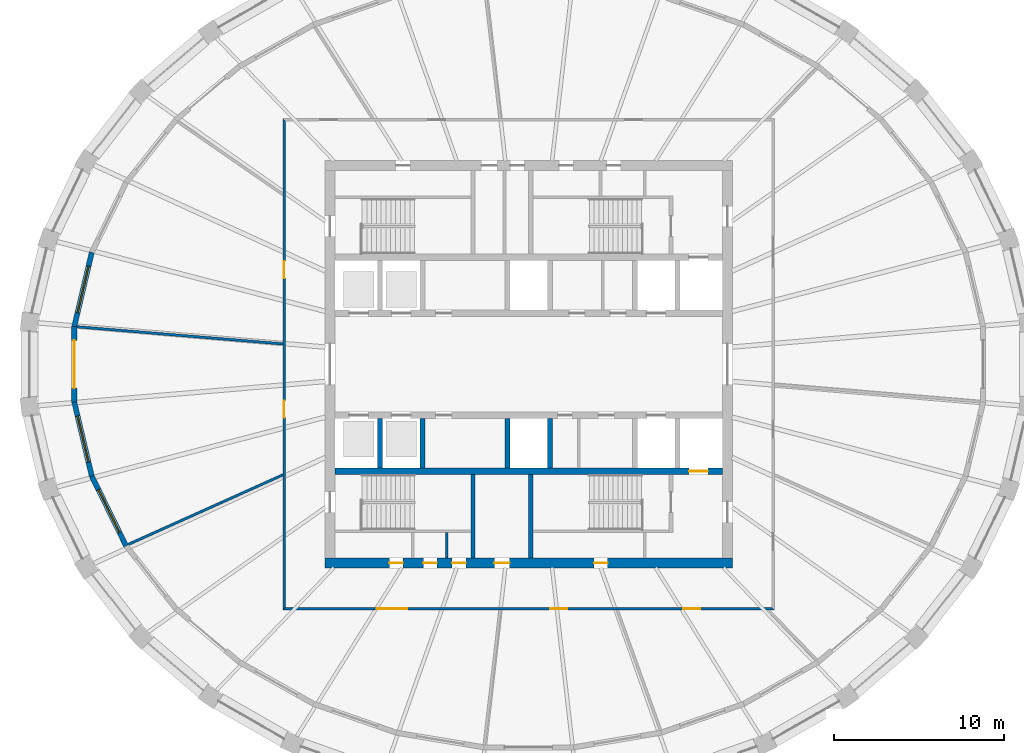
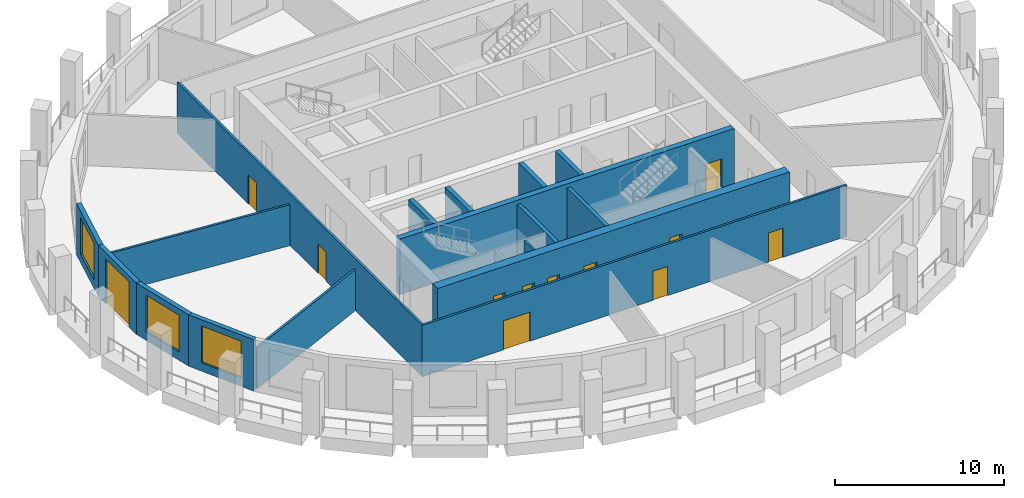
# One storey, part 3 of 10: 17 walls, 12 doors, 3 windows, 15 openings.
"""IFC4 building model written with IfcOpenShell, lengths in metres."""

from ifc_helpers import new_model, si_unit, direction, frame, frame_2d, origin, place, context, subcontext, project, spatial, polyline, rectangle, outline, extrude, material, layer, layer_set, type_object, element, fill, save


model = new_model("IFC4")

# Units and contexts
model_context = context("Model", 3, precision=1e-05, world=origin(), true_north=direction((0.0, 1.0)))
body_context = subcontext(model_context, "Body", "Model", "MODEL_VIEW")
ifc_project = project(units=[si_unit("LENGTHUNIT", "METRE"), si_unit("AREAUNIT", "SQUARE_METRE"), si_unit("VOLUMEUNIT", "CUBIC_METRE"), si_unit("PLANEANGLEUNIT", "RADIAN"), si_unit("MASSUNIT", "GRAM", prefix="KILO")], contexts=[model_context])

# Site, building, storey
site_placement = place(None, origin())
site = spatial("IfcSite", under=ifc_project, at=site_placement, CompositionType="ELEMENT")
building_placement = place(site_placement, origin())
building = spatial("IfcBuilding", under=site, at=building_placement, Name="Halqa Exchange Tower", CompositionType="ELEMENT")
storey_placement = place(building_placement, frame((0.0, 0.0, 280.300048828125)))
storey = spatial("IfcBuildingStorey", under=building, at=storey_placement, Name="L65", CompositionType="ELEMENT", Elevation=280.300048828125)

# Wall, openings, doors
ifc_material_1 = material(Name="Fire-rated gypsum board")
ifc_layer_1 = layer(ifc_material_1, 0.14990234375)
ifc_layer_set_1 = layer_set([ifc_layer_1], Name="Fire-rated gypsum board")
wall_type_1 = type_object("IfcWallType", Name="Fire partition EI 60 150", PredefinedType="PARTITIONING", material=ifc_layer_set_1)
wall_1_placement = place(storey_placement, frame((-14.39990234375, -14.47509765625, 0.0), z_axis=(0.0, 0.0, 1.0), x_axis=(0.0, 1.0, 0.0)))
wall_1 = element("IfcWall", 1, at=wall_1_placement, inside=storey, type_object=wall_type_1, Name="L65-PWL-001", PredefinedType="PARTITIONING", context=body_context, shape_type="SweptSolid", body=[
    extrude(outline(polyline([(0.150146484375, -0.074951171875), (2.06005859375, -0.074951171875), (3.97021484375, -0.074951171875), (5.880126953125, -0.074951171875), (7.7900390625, -0.074951171875), (9.7001953125, -0.074951171875), (11.610107421875, -0.074951171875), (13.52001953125, -0.074951171875), (15.43017578125, -0.074951171875), (17.340087890625, -0.074951171875), (19.25, -0.074951171875), (21.16015625, -0.074951171875), (23.070068359375, -0.074951171875), (24.97998046875, -0.074951171875), (26.89013671875, -0.074951171875), (28.800048828125, -0.074951171875), (28.949951171875, 0.074951171875), (27.02001953125, 0.074951171875), (25.090087890625, 0.074951171875), (23.159912109375, 0.074951171875), (21.22998046875, 0.074951171875), (19.300048828125, 0.074951171875), (17.3701171875, 0.074951171875), (15.440185546875, 0.074951171875), (13.510009765625, 0.074951171875), (11.580078125, 0.074951171875), (9.650146484375, 0.074951171875), (7.72021484375, 0.074951171875), (5.790283203125, 0.074951171875), (3.860107421875, 0.074951171875), (1.93017578125, 0.074951171875), (0.000244140625, 0.074951171875), (0.150146484375, -0.074951171875)])), origin(), (0.0, 0.0, 1.0), 3.699951171875),
])
opening_1_placement = place(wall_1_placement, frame((19.544921875, 0.0, 0.0)))
opening_1 = element("IfcOpeningElement", 2, at=opening_1_placement, cuts=wall_1, Name="Opening 20-07", PredefinedType="OPENING", context=body_context, shape_type="SweptSolid", body=[
    extrude(rectangle(XDim=1.0, YDim=2.10009765625, at=frame_2d((0.5, 1.050048828125))), frame((0.0, 0.0869140625, 0.0), z_axis=(0.0, -1.0, 0.0), x_axis=(1.0, 0.0, 0.0)), (0.0, 0.0, 1.0), 0.173828125),
])
opening_2_placement = place(wall_1_placement, frame((11.330078125, 0.0, 0.0)))
opening_2 = element("IfcOpeningElement", 3, at=opening_2_placement, cuts=wall_1, Name="Opening 20-08", PredefinedType="OPENING", context=body_context, shape_type="SweptSolid", body=[
    extrude(rectangle(XDim=1.0, YDim=2.10009765625, at=frame_2d((0.5, 1.050048828125))), frame((0.0, 0.0869140625, 0.0), z_axis=(0.0, -1.0, 0.0), x_axis=(1.0, 0.0, 0.0)), (0.0, 0.0, 1.0), 0.173828125),
])
ifc_material_2 = material(Name="Steel fire door leaf", Category="steel")
door_type_1 = type_object("IfcDoorType", Name="Fire door FD30S 1000 x 2100", OperationType="SINGLE_SWING_LEFT", PredefinedType="DOOR", material=ifc_material_2)
door_1_placement = place(opening_1_placement, origin())
door_1 = element("IfcDoor", 4, at=door_1_placement, inside=storey, type_object=door_type_1, Name="L65-IDR-007", OperationType="SINGLE_SWING_LEFT", OverallHeight=2.10009765625, OverallWidth=1.0, PredefinedType="DOOR", context=body_context, shape_type="SweptSolid", body=[
    extrude(rectangle(XDim=1.0, YDim=2.10009765625, at=frame_2d((0.5, 1.050048828125))), frame((0.0, 0.02490234375, 0.0), z_axis=(0.0, -1.0, 0.0), x_axis=(1.0, 0.0, 0.0)), (0.0, 0.0, 1.0), 0.050048828125),
])
fill(opening_1, door_1)
door_2_placement = place(opening_2_placement, origin())
door_2 = element("IfcDoor", 5, at=door_2_placement, inside=storey, type_object=door_type_1, Name="L65-IDR-008", OperationType="SINGLE_SWING_RIGHT", OverallHeight=2.10009765625, OverallWidth=1.0, PredefinedType="DOOR", context=body_context, shape_type="SweptSolid", body=[
    extrude(rectangle(XDim=1.0, YDim=2.10009765625, at=frame_2d((0.5, 1.050048828125))), frame((0.0, 0.02490234375, 0.0), z_axis=(0.0, -1.0, 0.0), x_axis=(1.0, 0.0, 0.0)), (0.0, 0.0, 1.0), 0.050048828125),
])
fill(opening_2, door_2)

wall_2_placement = place(storey_placement, frame((-14.47509765625, -14.39990234375, 0.0), z_axis=(0.0, 0.0, 1.0), x_axis=(1.0, 0.0, 0.0)))
wall_2 = element("IfcWall", 6, at=wall_2_placement, inside=storey, type_object=wall_type_1, Name="L65-PWL-002", PredefinedType="PARTITIONING", context=body_context, shape_type="SweptSolid", body=[
    extrude(outline(polyline([(0.000244140625, -0.074951171875), (1.93017578125, -0.074951171875), (3.860107421875, -0.074951171875), (5.790283203125, -0.074951171875), (7.72021484375, -0.074951171875), (9.650146484375, -0.074951171875), (11.580078125, -0.074951171875), (13.510009765625, -0.074951171875), (15.440185546875, -0.074951171875), (17.3701171875, -0.074951171875), (19.300048828125, -0.074951171875), (21.22998046875, -0.074951171875), (23.159912109375, -0.074951171875), (25.090087890625, -0.074951171875), (27.02001953125, -0.074951171875), (28.949951171875, -0.074951171875), (28.800048828125, 0.074951171875), (26.89013671875, 0.074951171875), (24.97998046875, 0.074951171875), (23.070068359375, 0.074951171875), (21.16015625, 0.074951171875), (19.25, 0.074951171875), (17.340087890625, 0.074951171875), (15.43017578125, 0.074951171875), (13.52001953125, 0.074951171875), (11.610107421875, 0.074951171875), (9.7001953125, 0.074951171875), (7.7900390625, 0.074951171875), (5.880126953125, 0.074951171875), (3.97021484375, 0.074951171875), (2.06005859375, 0.074951171875), (0.150146484375, 0.074951171875), (0.000244140625, -0.074951171875)])), origin(), (0.0, 0.0, 1.0), 3.699951171875),
])
opening_3_placement = place(wall_2_placement, frame((5.534912109375, 0.0, 0.0)))
opening_3 = element("IfcOpeningElement", 7, at=opening_3_placement, cuts=wall_2, Name="Opening 20-09", PredefinedType="OPENING", context=body_context, shape_type="SweptSolid", body=[
    extrude(rectangle(XDim=1.800048828125, YDim=2.10009765625, at=frame_2d((0.89990234375, 1.050048828125))), frame((0.0, 0.0869140625, 0.0), z_axis=(0.0, -1.0, 0.0), x_axis=(1.0, 0.0, 0.0)), (0.0, 0.0, 1.0), 0.173828125),
])
opening_4_placement = place(wall_2_placement, frame((15.72998046875, 0.0, 0.0)))
opening_4 = element("IfcOpeningElement", 8, at=opening_4_placement, cuts=wall_2, Name="Opening 20-10", PredefinedType="OPENING", context=body_context, shape_type="SweptSolid", body=[
    extrude(rectangle(XDim=1.0, YDim=2.10009765625, at=frame_2d((0.5, 1.050048828125))), frame((0.0, 0.0869140625, 0.0), z_axis=(0.0, -1.0, 0.0), x_axis=(1.0, 0.0, 0.0)), (0.0, 0.0, 1.0), 0.173828125),
])
opening_5_placement = place(wall_2_placement, frame((23.5849609375, 0.0, 0.0)))
opening_5 = element("IfcOpeningElement", 9, at=opening_5_placement, cuts=wall_2, Name="Opening 20-11", PredefinedType="OPENING", context=body_context, shape_type="SweptSolid", body=[
    extrude(rectangle(XDim=1.0, YDim=2.10009765625, at=frame_2d((0.5, 1.050048828125))), frame((0.0, 0.0869140625, 0.0), z_axis=(0.0, -1.0, 0.0), x_axis=(1.0, 0.0, 0.0)), (0.0, 0.0, 1.0), 0.173828125),
])
door_3_placement = place(opening_4_placement, frame((1.0, 0.0, 0.0), z_axis=(0.0, 0.0, 1.0), x_axis=(-1.0, 0.0, 0.0)))
door_3 = element("IfcDoor", 10, at=door_3_placement, inside=storey, type_object=door_type_1, Name="L65-IDR-010", OperationType="SINGLE_SWING_RIGHT", OverallHeight=2.10009765625, OverallWidth=1.0, PredefinedType="DOOR", context=body_context, shape_type="SweptSolid", body=[
    extrude(rectangle(XDim=1.0, YDim=2.10009765625, at=frame_2d((0.5, 1.050048828125))), frame((0.0, 0.02490234375, 0.0), z_axis=(0.0, -1.0, 0.0), x_axis=(1.0, 0.0, 0.0)), (0.0, 0.0, 1.0), 0.050048828125),
])
fill(opening_4, door_3)
door_4_placement = place(opening_5_placement, frame((1.0, 0.0, 0.0), z_axis=(0.0, 0.0, 1.0), x_axis=(-1.0, 0.0, 0.0)))
door_4 = element("IfcDoor", 11, at=door_4_placement, inside=storey, type_object=door_type_1, Name="L65-IDR-011", OperationType="SINGLE_SWING_RIGHT", OverallHeight=2.10009765625, OverallWidth=1.0, PredefinedType="DOOR", context=body_context, shape_type="SweptSolid", body=[
    extrude(rectangle(XDim=1.0, YDim=2.10009765625, at=frame_2d((0.5, 1.050048828125))), frame((0.0, 0.02490234375, 0.0), z_axis=(0.0, -1.0, 0.0), x_axis=(1.0, 0.0, 0.0)), (0.0, 0.0, 1.0), 0.050048828125),
])
fill(opening_5, door_4)
door_type_2 = type_object("IfcDoorType", Name="Fire door FD30S double 1800 x 2100", OperationType="DOUBLE_DOOR_SINGLE_SWING", PredefinedType="DOOR", material=ifc_material_2)
door_5_placement = place(opening_3_placement, frame((1.800048828125, 0.0, 0.0), z_axis=(0.0, 0.0, 1.0), x_axis=(-1.0, 0.0, 0.0)))
door_5 = element("IfcDoor", 12, at=door_5_placement, inside=storey, type_object=door_type_2, Name="L65-IDR-009", OperationType="DOUBLE_DOOR_SINGLE_SWING", OverallHeight=2.10009765625, OverallWidth=1.800048828125, PredefinedType="DOOR", context=body_context, shape_type="SweptSolid", body=[
    extrude(rectangle(XDim=1.800048828125, YDim=2.10009765625, at=frame_2d((0.89990234375, 1.050048828125))), frame((0.0, 0.02490234375, 0.0), z_axis=(0.0, -1.0, 0.0), x_axis=(1.0, 0.0, 0.0)), (0.0, 0.0, 1.0), 0.050048828125),
])
fill(opening_3, door_5)

# Walls
wall_3_placement = place(storey_placement, frame((-14.444580078125, -6.5, 0.0), z_axis=(0.0, 0.0, 1.0), x_axis=(-0.912008635086, -0.410171000351, 0.0)))
element("IfcWall", 13, at=wall_3_placement, inside=storey, type_object=wall_type_1, Name="L65-PWL-003", PredefinedType="PARTITIONING", context=body_context, shape_type="SweptSolid", body=[
    extrude(outline(polyline([(10.011474609375, -0.074951171875), (10.011474609375, -0.07080078125), (10.0087890625, 0.00537109375), (9.9912109375, 0.074951171875), (8.00634765625, 0.074951171875), (6.021484375, 0.074951171875), (4.03662109375, 0.074951171875), (2.052001953125, 0.074951171875), (0.067138671875, 0.074951171875), (0.0, -0.07421875), (0.0, -0.074951171875), (1.66845703125, -0.074951171875), (3.337158203125, -0.074951171875), (5.005859375, -0.074951171875), (6.67431640625, -0.074951171875), (8.3427734375, -0.074951171875), (10.011474609375, -0.074951171875)])), origin(), (0.0, 0.0, 1.0), 2.947021484375),
])
wall_4_placement = place(storey_placement, frame((-14.46923828125, 1.19580078125, 0.0), z_axis=(0.0, 0.0, 1.0), x_axis=(-0.996556684965, 0.08291425481, 0.0)))
element("IfcWall", 14, at=wall_4_placement, inside=storey, type_object=wall_type_1, Name="L65-PWL-004", PredefinedType="PARTITIONING", context=body_context, shape_type="SweptSolid", body=[
    extrude(outline(polyline([(0.011962890625, -0.074951171875), (1.747314453125, -0.074951171875), (3.482666015625, -0.074951171875), (5.218017578125, -0.074951171875), (6.953369140625, -0.074951171875), (8.688720703125, -0.074951171875), (10.424072265625, -0.074951171875), (12.159423828125, -0.074951171875), (12.163818359375, -0.045166015625), (12.163818359375, 0.074951171875), (10.426025390625, 0.074951171875), (8.6884765625, 0.074951171875), (6.95068359375, 0.074951171875), (5.213134765625, 0.074951171875), (3.475341796875, 0.074951171875), (1.73779296875, 0.074951171875), (0.0, 0.074951171875), (0.0, 0.069580078125), (0.011962890625, -0.074951171875)])), origin(), (0.0, 0.0, 1.0), 2.947021484375),
])
ifc_material_3 = material(Name="Gypsum board")
ifc_layer_2 = layer(ifc_material_3, 0.14990234375)
ifc_layer_set_2 = layer_set([ifc_layer_2], Name="Gypsum board")
wall_type_2 = type_object("IfcWallType", Name="Penthouse riser wall 150 gypsum", PredefinedType="PARTITIONING", material=ifc_layer_set_2)
wall_5_placement = place(storey_placement, frame((-4.824951171875, -11.39990234375, 0.0), z_axis=(0.0, 0.0, 1.0), x_axis=(0.0, 1.0, 0.0)))
element("IfcWall", 15, at=wall_5_placement, inside=storey, type_object=wall_type_2, Name="Partition W4.825 S", PredefinedType="PARTITIONING", context=body_context, shape_type="SweptSolid", body=[
    extrude(rectangle(XDim=1.5, YDim=0.14990234375, at=frame_2d((0.75, 0.0))), origin(), (0.0, 0.0, 1.0), 3.699951171875),
])
ifc_material_4 = material(Name="Concrete C60/75", Category="concrete")
ifc_layer_3 = layer(ifc_material_4, 0.300048828125)
ifc_layer_set_3 = layer_set([ifc_layer_3], Name="Concrete C60/75")
wall_type_3 = type_object("IfcWallType", Name="RC core wall 300", PredefinedType="SHEAR", material=ifc_layer_set_3)
for number, where, z_axis, x_axis, name in (
    (16, (-8.75, -6.10009765625, 0.0), (0.0, 0.0, 1.0), (0.0, 1.0, 0.0), "Shaft divider S1"),
    (17, (-6.25, -6.10009765625, 0.0), (0.0, 0.0, 1.0), (0.0, 1.0, 0.0), "Shaft divider S2"),
    (18, (-1.25, -6.10009765625, 0.0), (0.0, 0.0, 1.0), (0.0, 1.0, 0.0), "Shaft divider S4"),
    (19, (1.25, -6.10009765625, 0.0), (0.0, 0.0, 1.0), (0.0, 1.0, 0.0), "Shaft divider S5"),
):
    element("IfcWall", number, at=place(storey_placement, frame(where, z_axis=z_axis, x_axis=x_axis)), inside=storey, type_object=wall_type_3, Name=name, PredefinedType="SHEAR", context=body_context, shape_type="SweptSolid", body=[
        extrude(rectangle(XDim=2.900146484375, YDim=0.300048828125, at=frame_2d((1.4501953125, 0.0))), origin(), (0.0, 0.0, 1.0), 4.0),
    ])

# Wall, opening, door
ifc_layer_4 = layer(ifc_material_4, 0.39990234375)
ifc_layer_set_4 = layer_set([ifc_layer_4], Name="Concrete C60/75")
wall_type_4 = type_object("IfcWallType", Name="RC core wall 400 C60/75", PredefinedType="SHEAR", material=ifc_layer_set_4)
wall_6_placement = place(storey_placement, frame((-11.39990234375, -6.300048828125, 0.0), z_axis=(0.0, 0.0, 1.0), x_axis=(1.0, 0.0, 0.0)))
wall_6 = element("IfcWall", 20, at=wall_6_placement, inside=storey, type_object=wall_type_4, Name="Lift row back wall S", PredefinedType="SHEAR", context=body_context, shape_type="SweptSolid", body=[
    extrude(rectangle(XDim=22.7998046875, YDim=0.39990234375, at=frame_2d((11.39990234375, 0.0))), origin(), (0.0, 0.0, 1.0), 4.0),
])
opening_6_placement = place(wall_6_placement, frame((20.85009765625, 0.0, 0.0)))
opening_6 = element("IfcOpeningElement", 21, at=opening_6_placement, cuts=wall_6, Name="Opening LD-FF2-T20", PredefinedType="OPENING", context=body_context, shape_type="SweptSolid", body=[
    extrude(rectangle(XDim=1.10009765625, YDim=2.10009765625, at=frame_2d((0.550048828125, 1.050048828125))), frame((0.0, 0.2119140625, 0.0), z_axis=(0.0, -1.0, 0.0), x_axis=(1.0, 0.0, 0.0)), (0.0, 0.0, 1.0), 0.423828125),
])
ifc_material_5 = material(Name="Stainless steel", Category="steel")
door_type_3 = type_object("IfcDoorType", Name="Lift landing door 1100 x 2100", OperationType="SLIDING_TO_LEFT", PredefinedType="DOOR", material=ifc_material_5)
door_6_placement = place(opening_6_placement, origin())
door_6 = element("IfcDoor", 22, at=door_6_placement, inside=storey, type_object=door_type_3, Name="Lift landing door FF2", OperationType="SLIDING_TO_LEFT", OverallHeight=2.10009765625, OverallWidth=1.10009765625, PredefinedType="DOOR", context=body_context, shape_type="SweptSolid", body=[
    extrude(rectangle(XDim=1.10009765625, YDim=2.10009765625, at=frame_2d((0.550048828125, 1.050048828125))), frame((0.0, 0.02490234375, 0.0), z_axis=(0.0, -1.0, 0.0), x_axis=(1.0, 0.0, 0.0)), (0.0, 0.0, 1.0), 0.050048828125),
])
fill(opening_6, door_6)

# Wall, openings, doors
ifc_layer_5 = layer(ifc_material_4, 0.60009765625)
ifc_layer_set_5 = layer_set([ifc_layer_5], Name="Concrete C60/75")
wall_type_5 = type_object("IfcWallType", Name="RC core wall 600 C60/75", PredefinedType="SHEAR", material=ifc_layer_set_5)
wall_7_placement = place(storey_placement, frame((-12.0, -11.699951171875, 0.0), z_axis=(0.0, 0.0, 1.0), x_axis=(1.0, 0.0, 0.0)))
wall_7 = element("IfcWall", 23, at=wall_7_placement, inside=storey, type_object=wall_type_5, Name="Core wall south", PredefinedType="SHEAR", context=body_context, shape_type="SweptSolid", body=[
    extrude(rectangle(XDim=24.0, YDim=0.60009765625, at=frame_2d((12.0, 0.0))), origin(), (0.0, 0.0, 1.0), 4.0),
])
opening_7_placement = place(wall_7_placement, frame((9.97509765625, 0.0, 0.0)))
opening_7 = element("IfcOpeningElement", 24, at=opening_7_placement, cuts=wall_7, Name="Opening T20-C22", PredefinedType="OPENING", context=body_context, shape_type="SweptSolid", body=[
    extrude(rectangle(XDim=0.89990234375, YDim=2.10009765625, at=frame_2d((0.449951171875, 1.050048828125))), frame((0.0, 0.31201171875, 0.0), z_axis=(0.0, -1.0, 0.0), x_axis=(1.0, 0.0, 0.0)), (0.0, 0.0, 1.0), 0.6240234375),
])
opening_8_placement = place(wall_7_placement, frame((3.800048828125, 0.0, 0.0)))
opening_8 = element("IfcOpeningElement", 25, at=opening_8_placement, cuts=wall_7, Name="Opening T20-C23", PredefinedType="OPENING", context=body_context, shape_type="SweptSolid", body=[
    extrude(rectangle(XDim=0.800048828125, YDim=2.10009765625, at=frame_2d((0.39990234375, 1.050048828125))), frame((0.0, 0.31201171875, 0.0), z_axis=(0.0, -1.0, 0.0), x_axis=(1.0, 0.0, 0.0)), (0.0, 0.0, 1.0), 0.6240234375),
])
opening_9_placement = place(wall_7_placement, frame((5.800048828125, 0.0, 0.0)))
opening_9 = element("IfcOpeningElement", 26, at=opening_9_placement, cuts=wall_7, Name="Opening T20-C24", PredefinedType="OPENING", context=body_context, shape_type="SweptSolid", body=[
    extrude(rectangle(XDim=0.800048828125, YDim=2.10009765625, at=frame_2d((0.39990234375, 1.050048828125))), frame((0.0, 0.31201171875, 0.0), z_axis=(0.0, -1.0, 0.0), x_axis=(1.0, 0.0, 0.0)), (0.0, 0.0, 1.0), 0.6240234375),
])
opening_10_placement = place(wall_7_placement, frame((7.5, 0.0, 0.0)))
opening_10 = element("IfcOpeningElement", 27, at=opening_10_placement, cuts=wall_7, Name="Opening T20-C25", PredefinedType="OPENING", context=body_context, shape_type="SweptSolid", body=[
    extrude(rectangle(XDim=0.800048828125, YDim=2.10009765625, at=frame_2d((0.39990234375, 1.050048828125))), frame((0.0, 0.31201171875, 0.0), z_axis=(0.0, -1.0, 0.0), x_axis=(1.0, 0.0, 0.0)), (0.0, 0.0, 1.0), 0.6240234375),
])
opening_11_placement = place(wall_7_placement, frame((15.85009765625, 0.0, 0.0)))
opening_11 = element("IfcOpeningElement", 28, at=opening_11_placement, cuts=wall_7, Name="Opening T20-C26", PredefinedType="OPENING", context=body_context, shape_type="SweptSolid", body=[
    extrude(rectangle(XDim=0.800048828125, YDim=2.10009765625, at=frame_2d((0.39990234375, 1.050048828125))), frame((0.0, 0.31201171875, 0.0), z_axis=(0.0, -1.0, 0.0), x_axis=(1.0, 0.0, 0.0)), (0.0, 0.0, 1.0), 0.6240234375),
])
ifc_material_6 = material(Name="Timber fire door leaf", Category="wood")
door_type_4 = type_object("IfcDoorType", Name="Core room door FD30 900 x 2100", OperationType="SINGLE_SWING_LEFT", PredefinedType="DOOR", material=ifc_material_6)
door_7_placement = place(opening_7_placement, origin())
door_7 = element("IfcDoor", 29, at=door_7_placement, inside=storey, type_object=door_type_4, Name="Core room door", OperationType="SINGLE_SWING_LEFT", OverallHeight=2.10009765625, OverallWidth=0.89990234375, PredefinedType="DOOR", context=body_context, shape_type="SweptSolid", body=[
    extrude(rectangle(XDim=0.89990234375, YDim=2.10009765625, at=frame_2d((0.449951171875, 1.050048828125))), frame((0.0, 0.02490234375, 0.0), z_axis=(0.0, -1.0, 0.0), x_axis=(1.0, 0.0, 0.0)), (0.0, 0.0, 1.0), 0.050048828125),
])
fill(opening_7, door_7)
door_type_5 = type_object("IfcDoorType", Name="Riser door FD60 800 x 2100", OperationType="SINGLE_SWING_LEFT", PredefinedType="DOOR", material=ifc_material_2)
door_8_placement = place(opening_8_placement, origin())
door_8 = element("IfcDoor", 30, at=door_8_placement, inside=storey, type_object=door_type_5, Name="Core room door", OperationType="SINGLE_SWING_LEFT", OverallHeight=2.10009765625, OverallWidth=0.800048828125, PredefinedType="DOOR", context=body_context, shape_type="SweptSolid", body=[
    extrude(rectangle(XDim=0.800048828125, YDim=2.10009765625, at=frame_2d((0.39990234375, 1.050048828125))), frame((0.0, 0.02490234375, 0.0), z_axis=(0.0, -1.0, 0.0), x_axis=(1.0, 0.0, 0.0)), (0.0, 0.0, 1.0), 0.050048828125),
])
fill(opening_8, door_8)
door_9_placement = place(opening_9_placement, origin())
door_9 = element("IfcDoor", 31, at=door_9_placement, inside=storey, type_object=door_type_5, Name="Core room door", OperationType="SINGLE_SWING_RIGHT", OverallHeight=2.10009765625, OverallWidth=0.800048828125, PredefinedType="DOOR", context=body_context, shape_type="SweptSolid", body=[
    extrude(rectangle(XDim=0.800048828125, YDim=2.10009765625, at=frame_2d((0.39990234375, 1.050048828125))), frame((0.0, 0.02490234375, 0.0), z_axis=(0.0, -1.0, 0.0), x_axis=(1.0, 0.0, 0.0)), (0.0, 0.0, 1.0), 0.050048828125),
])
fill(opening_9, door_9)
door_10_placement = place(opening_10_placement, origin())
door_10 = element("IfcDoor", 32, at=door_10_placement, inside=storey, type_object=door_type_5, Name="Core room door", OperationType="SINGLE_SWING_RIGHT", OverallHeight=2.10009765625, OverallWidth=0.800048828125, PredefinedType="DOOR", context=body_context, shape_type="SweptSolid", body=[
    extrude(rectangle(XDim=0.800048828125, YDim=2.10009765625, at=frame_2d((0.39990234375, 1.050048828125))), frame((0.0, 0.02490234375, 0.0), z_axis=(0.0, -1.0, 0.0), x_axis=(1.0, 0.0, 0.0)), (0.0, 0.0, 1.0), 0.050048828125),
])
fill(opening_10, door_10)
door_11_placement = place(opening_11_placement, origin())
door_11 = element("IfcDoor", 33, at=door_11_placement, inside=storey, type_object=door_type_5, Name="Core room door", OperationType="SINGLE_SWING_LEFT", OverallHeight=2.10009765625, OverallWidth=0.800048828125, PredefinedType="DOOR", context=body_context, shape_type="SweptSolid", body=[
    extrude(rectangle(XDim=0.800048828125, YDim=2.10009765625, at=frame_2d((0.39990234375, 1.050048828125))), frame((0.0, 0.02490234375, 0.0), z_axis=(0.0, -1.0, 0.0), x_axis=(1.0, 0.0, 0.0)), (0.0, 0.0, 1.0), 0.050048828125),
])
fill(opening_11, door_11)

# Walls
ifc_material_7 = material(Name="Concrete C30/37", Category="concrete")
ifc_layer_6 = layer(ifc_material_7, 0.25)
ifc_layer_set_6 = layer_set([ifc_layer_6], Name="Concrete C30/37")
wall_type_6 = type_object("IfcWallType", Name="RC stair wall 250 C30/37", PredefinedType="SHEAR", material=ifc_layer_set_6)
for number, where, z_axis, x_axis, name in (
    (34, (-3.27490234375, -11.39990234375, 0.0), (0.0, 0.0, 1.0), (0.0, 1.0, 0.0), "Stair ST1 east wall S"),
    (35, (0.125, -11.39990234375, 0.0), (0.0, 0.0, 1.0), (0.0, 1.0, 0.0), "Stair ST2 west wall S"),
):
    element("IfcWall", number, at=place(storey_placement, frame(where, z_axis=z_axis, x_axis=x_axis)), inside=storey, type_object=wall_type_6, Name=name, PredefinedType="SHEAR", context=body_context, shape_type="SweptSolid", body=[
        extrude(rectangle(XDim=4.89990234375, YDim=0.25, at=frame_2d((2.449951171875, 0.0))), origin(), (0.0, 0.0, 1.0), 3.699951171875),
    ])

# Wall, opening, window
ifc_material_8 = material(Name="Limestone cladding", Category="masonry")
ifc_layer_7 = layer(ifc_material_8, 0.0400390625)
ifc_material_9 = material(Name="Ventilated cavity")
ifc_layer_8 = layer(ifc_material_9, 0.030029296875, ventilated=True)
ifc_material_10 = material(Name="Mineral wool insulation")
ifc_layer_9 = layer(ifc_material_10, 0.10009765625)
ifc_layer_10 = layer(ifc_material_7, 0.10009765625)
ifc_material_11 = material(Name="Internal plaster")
ifc_layer_11 = layer(ifc_material_11, 0.030029296875)
ifc_layer_set_7 = layer_set([ifc_layer_7, ifc_layer_8, ifc_layer_9, ifc_layer_10, ifc_layer_11], Name="Stone-faced insulated wall 300")
wall_type_7 = type_object("IfcWallType", Name="Stone-faced insulated wall 300", PredefinedType="STANDARD", material=ifc_layer_set_7)
wall_8_placement = place(storey_placement, frame((-25.717529296875, 6.584716796875, 0.0), z_axis=(0.0, 0.0, 1.0), x_axis=(-0.229862207503, -0.973223183839, 0.0)))
wall_8 = element("IfcWall", 36, at=wall_8_placement, inside=storey, type_object=wall_type_7, Name="Glass-line wall 15", PredefinedType="STANDARD", context=body_context, shape_type="SweptSolid", body=[
    extrude(outline(polyline([(-0.016845703125, -0.14990234375), (4.49853515625, -0.14990234375), (4.46337890625, 0.14990234375), (0.016845703125, 0.14990234375), (-0.016845703125, -0.14990234375)])), origin(), (0.0, 0.0, 1.0), 3.699951171875),
])
opening_12_placement = place(wall_8_placement, frame((0.840576171875, 0.0, 0.60009765625)))
opening_12 = element("IfcOpeningElement", 37, at=opening_12_placement, cuts=wall_8, Name="Opening W-F4-15", PredefinedType="OPENING", context=body_context, shape_type="SweptSolid", body=[
    extrude(rectangle(XDim=2.800048828125, YDim=2.64990234375, at=frame_2d((1.39990234375, 1.324951171875))), frame((0.0, 0.162109375, 0.0), z_axis=(0.0, -1.0, 0.0), x_axis=(1.0, 0.0, 0.0)), (0.0, 0.0, 1.0), 0.323974609375),
])
ifc_material_12 = material(Name="Clear low-emissivity glass in aluminium frame", Category="aluminium")
window_type = type_object("IfcWindowType", Name="Fixed clear glazed window 2800 x 2650", PartitioningType="DOUBLE_PANEL_VERTICAL", PredefinedType="WINDOW", material=ifc_material_12)
window_1_placement = place(opening_12_placement, origin())
window_1 = element("IfcWindow", 38, at=window_1_placement, inside=storey, type_object=window_type, Name="Window 4", OverallHeight=2.64990234375, OverallWidth=2.800048828125, PartitioningType="DOUBLE_PANEL_VERTICAL", PredefinedType="WINDOW", context=body_context, shape_type="SweptSolid", body=[
    extrude(rectangle(XDim=2.800048828125, YDim=2.64990234375, at=frame_2d((1.39990234375, 1.324951171875))), frame((0.0, 0.030029296875, 0.0), z_axis=(0.0, -1.0, 0.0), x_axis=(1.0, 0.0, 0.0)), (0.0, 0.0, 1.0), 0.06005859375),
])
fill(opening_12, window_1)

# Wall, opening, door
wall_9_placement = place(storey_placement, frame((-26.74755859375, 2.2236328125, 0.0), z_axis=(0.0, 0.0, 1.0), x_axis=(0.0, -1.0, 0.0)))
wall_9 = element("IfcWall", 39, at=wall_9_placement, inside=storey, type_object=wall_type_7, Name="Glass-line wall 16", PredefinedType="STANDARD", context=body_context, shape_type="SweptSolid", body=[
    extrude(outline(polyline([(-0.017578125, -0.14990234375), (4.46484375, -0.14990234375), (4.4296875, 0.14990234375), (0.017578125, 0.14990234375), (-0.017578125, -0.14990234375)])), origin(), (0.0, 0.0, 1.0), 3.699951171875),
])
opening_13_placement = place(wall_9_placement, frame((0.82373046875, 0.0, 0.0)))
opening_13 = element("IfcOpeningElement", 40, at=opening_13_placement, cuts=wall_9, Name="Opening LG-F4-04", PredefinedType="OPENING", context=body_context, shape_type="SweptSolid", body=[
    extrude(rectangle(XDim=2.800048828125, YDim=3.25, at=frame_2d((1.39990234375, 1.625))), frame((0.0, 0.162109375, 0.0), z_axis=(0.0, -1.0, 0.0), x_axis=(1.0, 0.0, 0.0)), (0.0, 0.0, 1.0), 0.323974609375),
])
door_type_6 = type_object("IfcDoorType", Name="Glazed sliding loggia door 2800 x 3250", OperationType="DOUBLE_DOOR_SLIDING", PredefinedType="DOOR", material=ifc_material_12)
door_12_placement = place(opening_13_placement, origin())
door_12 = element("IfcDoor", 41, at=door_12_placement, inside=storey, type_object=door_type_6, Name="Loggia door 4", OperationType="DOUBLE_DOOR_SLIDING", OverallHeight=3.25, OverallWidth=2.800048828125, PredefinedType="DOOR", context=body_context, shape_type="SweptSolid", body=[
    extrude(rectangle(XDim=2.800048828125, YDim=3.25, at=frame_2d((1.39990234375, 1.625))), frame((0.0, 0.02490234375, 0.0), z_axis=(0.0, -1.0, 0.0), x_axis=(1.0, 0.0, 0.0)), (0.0, 0.0, 1.0), 0.050048828125),
])
fill(opening_13, door_12)

# Wall, opening, window
wall_10_placement = place(storey_placement, frame((-26.74755859375, -2.2236328125, 0.0), z_axis=(0.0, 0.0, 1.0), x_axis=(0.229862207503, -0.973223183839, 0.0)))
wall_10 = element("IfcWall", 42, at=wall_10_placement, inside=storey, type_object=wall_type_7, Name="Glass-line wall 17", PredefinedType="STANDARD", context=body_context, shape_type="SweptSolid", body=[
    extrude(outline(polyline([(-0.017578125, -0.14990234375), (4.497802734375, -0.14990234375), (4.464111328125, 0.14990234375), (0.017578125, 0.14990234375), (-0.017578125, -0.14990234375)])), origin(), (0.0, 0.0, 1.0), 3.699951171875),
])
opening_14_placement = place(wall_10_placement, frame((0.840576171875, 0.0, 0.60009765625)))
opening_14 = element("IfcOpeningElement", 43, at=opening_14_placement, cuts=wall_10, Name="Opening W-F4-17", PredefinedType="OPENING", context=body_context, shape_type="SweptSolid", body=[
    extrude(rectangle(XDim=2.800048828125, YDim=2.64990234375, at=frame_2d((1.39990234375, 1.324951171875))), frame((0.0, 0.162109375, 0.0), z_axis=(0.0, -1.0, 0.0), x_axis=(1.0, 0.0, 0.0)), (0.0, 0.0, 1.0), 0.323974609375),
])
window_2_placement = place(opening_14_placement, origin())
window_2 = element("IfcWindow", 44, at=window_2_placement, inside=storey, type_object=window_type, Name="Window 4", OverallHeight=2.64990234375, OverallWidth=2.800048828125, PartitioningType="DOUBLE_PANEL_VERTICAL", PredefinedType="WINDOW", context=body_context, shape_type="SweptSolid", body=[
    extrude(rectangle(XDim=2.800048828125, YDim=2.64990234375, at=frame_2d((1.39990234375, 1.324951171875))), frame((0.0, 0.030029296875, 0.0), z_axis=(0.0, -1.0, 0.0), x_axis=(1.0, 0.0, 0.0)), (0.0, 0.0, 1.0), 0.06005859375),
])
fill(opening_14, window_2)

wall_11_placement = place(storey_placement, frame((-25.717529296875, -6.584716796875, 0.0), z_axis=(0.0, 0.0, 1.0), x_axis=(0.441335149795, -0.897342345794, 0.0)))
wall_11 = element("IfcWall", 45, at=wall_11_placement, inside=storey, type_object=wall_type_7, Name="Glass-line wall 18", PredefinedType="STANDARD", context=body_context, shape_type="SweptSolid", body=[
    extrude(outline(polyline([(-0.016845703125, -0.14990234375), (4.592041015625, -0.14990234375), (4.559814453125, 0.14990234375), (0.016845703125, 0.14990234375), (-0.016845703125, -0.14990234375)])), origin(), (0.0, 0.0, 1.0), 3.699951171875),
])
opening_15_placement = place(wall_11_placement, frame((0.887939453125, 0.0, 0.60009765625)))
opening_15 = element("IfcOpeningElement", 46, at=opening_15_placement, cuts=wall_11, Name="Opening W-F4-18", PredefinedType="OPENING", context=body_context, shape_type="SweptSolid", body=[
    extrude(rectangle(XDim=2.800048828125, YDim=2.64990234375, at=frame_2d((1.39990234375, 1.324951171875))), frame((0.0, 0.162109375, 0.0), z_axis=(0.0, -1.0, 0.0), x_axis=(1.0, 0.0, 0.0)), (0.0, 0.0, 1.0), 0.323974609375),
])
window_3_placement = place(opening_15_placement, origin())
window_3 = element("IfcWindow", 47, at=window_3_placement, inside=storey, type_object=window_type, Name="Window 4", OverallHeight=2.64990234375, OverallWidth=2.800048828125, PartitioningType="DOUBLE_PANEL_VERTICAL", PredefinedType="WINDOW", context=body_context, shape_type="SweptSolid", body=[
    extrude(rectangle(XDim=2.800048828125, YDim=2.64990234375, at=frame_2d((1.39990234375, 1.324951171875))), frame((0.0, 0.030029296875, 0.0), z_axis=(0.0, -1.0, 0.0), x_axis=(1.0, 0.0, 0.0)), (0.0, 0.0, 1.0), 0.06005859375),
])
fill(opening_15, window_3)

save(model, "model.ifc")
